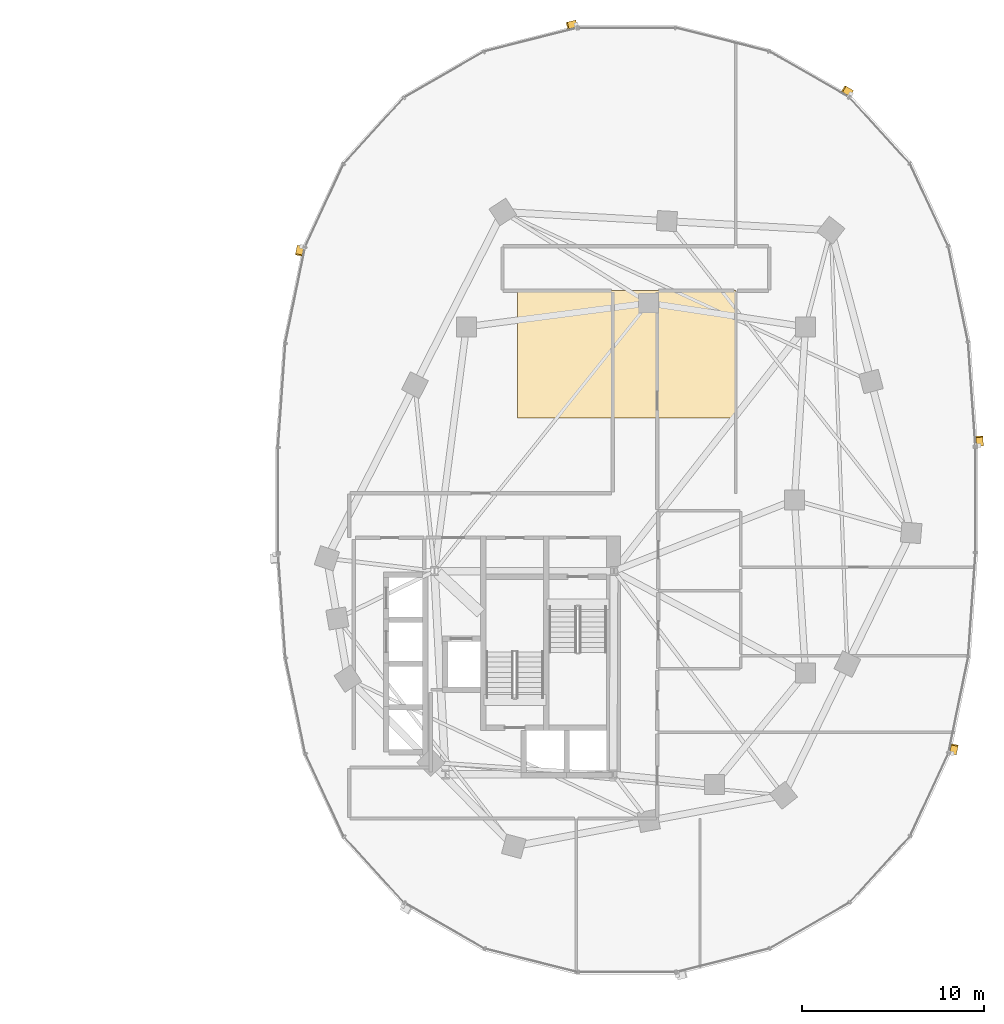
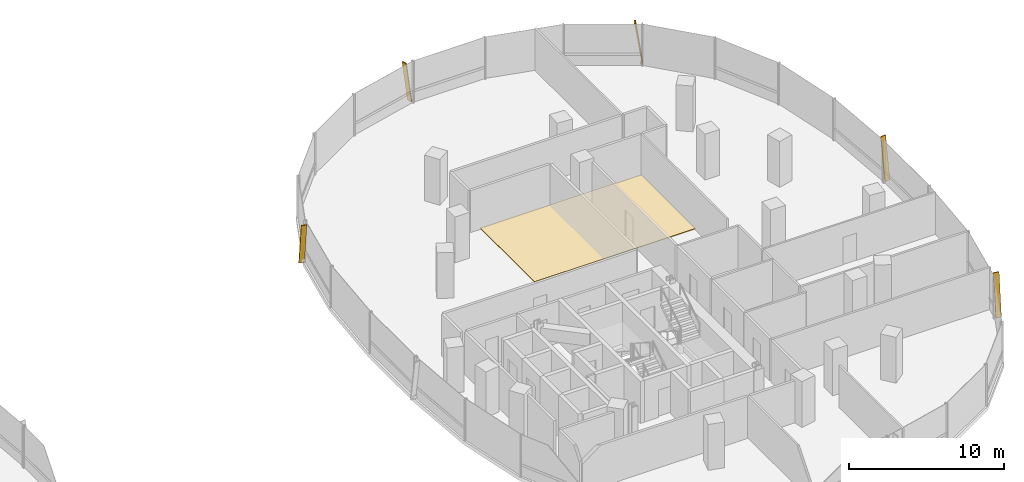
# One storey, part 21 of 21: 5 shading devices, 1 covering.
"""IFC4 building model written with IfcOpenShell, lengths in metres."""

from ifc_helpers import new_model, si_unit, direction, frame, origin, origin_2d, place, context, subcontext, project, spatial, polyline, rectangle, outline, extrude, material, layer, layer_set, material_profile, profile_set, type_object, element, save


model = new_model("IFC4")

# Units and contexts
model_context = context("Model", 3, precision=1e-05, world=origin(), true_north=direction((0.0, 1.0)))
body_context = subcontext(model_context, "Body", "Model", "MODEL_VIEW")
ifc_project = project(units=[si_unit("LENGTHUNIT", "METRE"), si_unit("AREAUNIT", "SQUARE_METRE"), si_unit("VOLUMEUNIT", "CUBIC_METRE"), si_unit("PLANEANGLEUNIT", "RADIAN"), si_unit("MASSUNIT", "GRAM", prefix="KILO"), si_unit("THERMODYNAMICTEMPERATUREUNIT", "KELVIN"), si_unit("POWERUNIT", "WATT")], contexts=[model_context])

# Site, building, storey
site_placement = place(None, origin())
site = spatial("IfcSite", under=ifc_project, at=site_placement, CompositionType="ELEMENT")
building_placement = place(site_placement, origin())
building = spatial("IfcBuilding", under=site, at=building_placement, Name="Cundina Bronze Exchange", CompositionType="ELEMENT")
storey_placement = place(building_placement, frame((0.0, 0.0, 81.800048828125)))
storey = spatial("IfcBuildingStorey", under=building, at=storey_placement, Name="L20", CompositionType="ELEMENT", Elevation=81.800048828125)

# Covering
ifc_material_1 = material(Name="Raised Access Steel-Cementitious Floor Panel 40mm", Category="steel")
ifc_layer = layer(ifc_material_1, 0.0400390625, Name="Raised Access Steel-Cementitious Floor Panel 40mm", Category="steel")
ifc_layer_set = layer_set([ifc_layer], Name="Raised Access Steel-Cementitious Floor Panel 40mm")
covering_type = type_object("IfcCoveringType", Name="COV-FLR-RAF40", PredefinedType="FLOORING", material=ifc_layer_set)
covering_placement = place(storey_placement, origin())
element("IfcCovering", 1, at=covering_placement, inside=storey, type_object=covering_type, Name="L20 E UFAD Raised Access Trading Floor", PredefinedType="FLOORING", context=body_context, shape_type="SweptSolid", body=[
    extrude(outline(polyline([(26.0, 4.5), (38.0, 4.5), (38.0, 11.5), (26.0, 11.5), (26.0, 4.5)])), origin(), (0.0, 0.0, 1.0), 0.0400390625),
])

# Shading devices
ifc_material_2 = material(Name="Anodised Bronze Aluminium 6063-T6", Category="aluminium")
ifc_material_profile = material_profile(ifc_material_2, rectangle(XDim=0.070068359375, YDim=0.3798828125, at=origin_2d()), Name="FIN70X380", Category="aluminium")
ifc_profile_set = profile_set([ifc_material_profile], Name="Anodised Bronze Aluminium 6063-T6")
shading_device_type = type_object("IfcShadingDeviceType", Name="SHD-FIN-BRZ380", PredefinedType="USERDEFINED", material=ifc_profile_set)
for number, where, z_axis, x_axis, name in (
    (2, (51.3740234375, 2.993896484375, 0.02001953125), (-0.010224545828, 0.145292278041, 0.989335945271), (0.069450050635, -0.986895284755, 0.145651595925), "L20 Diagonal Bronze Solar Fin 1"),
    (3, (44.314208984375, 22.314208984375, 0.02001953125), (-0.126324692219, 0.072534823274, 0.989333498649), (0.857958278167, -0.492634108109, 0.145668213594), "L20 Diagonal Bronze Solar Fin 5"),
    (4, (29.212646484375, 26.138427734375, 0.02001953125), (-0.141217047268, -0.035711761166, 0.989334329575), (0.95914051701, 0.242552848478, 0.145662570088), "L20 Diagonal Bronze Solar Fin 1"),
    (5, (14.10400390625, 13.911865234375, 0.02001953125), (-0.029413888538, -0.142698109128, 0.989329102378), (0.199728220342, 0.968958570224, 0.145698068578), "L20 Diagonal Bronze Solar Fin 5"),
    (6, (49.89599609375, -13.911865234375, 0.02001953125), (0.029413888538, 0.142698109128, 0.989329102378), (-0.199728220342, -0.968958570224, 0.145698068578), "L20 Diagonal Bronze Solar Fin 5"),
):
    element("IfcShadingDevice", number, at=place(storey_placement, frame(where, z_axis=z_axis, x_axis=x_axis)), inside=storey, type_object=shading_device_type, Name=name, ObjectType="FIN", PredefinedType="USERDEFINED", context=body_context, shape_type="SweptSolid", body=[
        extrude(rectangle(XDim=0.070068359375, YDim=0.3798828125, at=origin_2d()), origin(), (0.0, 0.0, 1.0), 3.295166015625),
    ])

save(model, "model.ifc")
